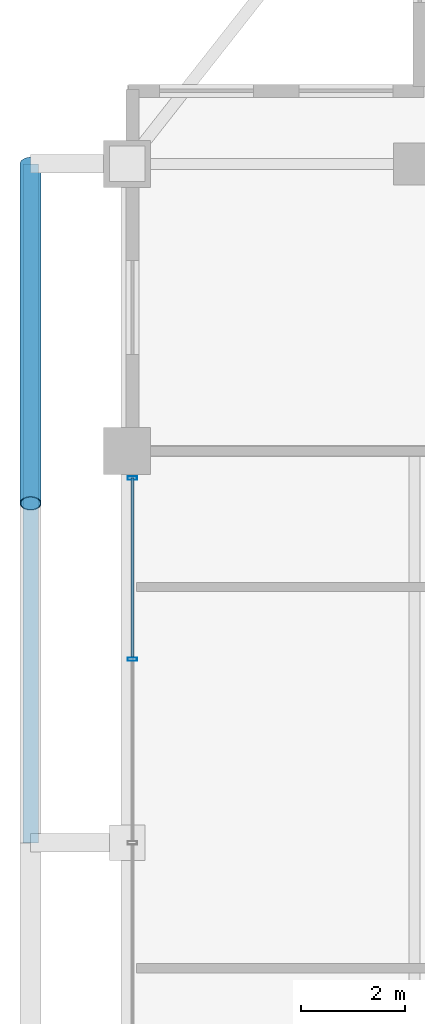
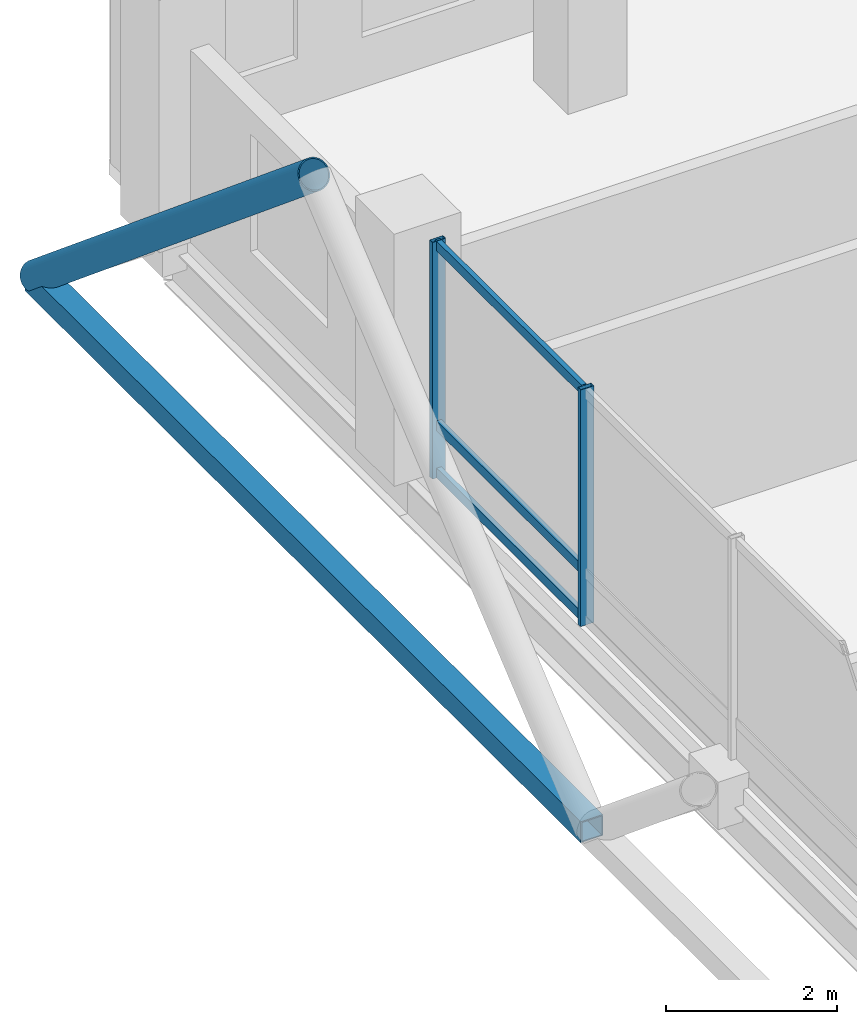
# One storey, part 10 of 24: 7 members, 1 element without a shape of its own.
"""IFC4 building model written with IfcOpenShell, lengths in metres."""

import ifcopenshell
import ifcopenshell.guid

model = None  # the IFC model being written
_history = None  # IfcOwnerHistory: only IFC2X3 demands one
_inside = {}  # id of a spatial element -> (the spatial element, [elements in it])
_under = {}  # id of a project, library or spatial element -> (it, [spatial elements below it])
_declared = {}  # id of a project -> (the project, [libraries it declares])
_typed = {}  # id of a type object -> (the type object, [elements of that type])
_made_of = {}  # id of a material, layer set ... -> (it, [elements and type objects made of it])


def new_model(schema):
    """Start an empty IFC model of exactly this schema.

    Asked for "IFC4X3", IfcOpenShell would pick the latest addendum, in which some entities
    have other attributes; the version numbers below select the first issue.
    IFC2X3 requires an IfcOwnerHistory on every rooted entity: one is made here for all.
    """
    global model, _history
    if schema == "IFC4X3":
        model = ifcopenshell.file(schema_version=(4, 3, 0, 0))
    else:
        model = ifcopenshell.file(schema=schema)
    _inside.clear()
    _under.clear()
    _declared.clear()
    _typed.clear()
    _made_of.clear()
    _history = None
    if model.schema == "IFC2X3":
        org = make("IfcOrganization", Name="unknown")
        user = make(
            "IfcPersonAndOrganization",
            ThePerson=make("IfcPerson", FamilyName="unknown"),
            TheOrganization=org,
        )
        app = make(
            "IfcApplication",
            ApplicationDeveloper=org,
            Version="unknown",
            ApplicationFullName="unknown",
            ApplicationIdentifier="unknown",
        )
        _history = make(
            "IfcOwnerHistory",
            OwningUser=user,
            OwningApplication=app,
            ChangeAction="ADDED",
            CreationDate=0,
        )
    return model


def make(cls, **values):
    """One entity of the class cls with the attributes given. An attribute that is None is left unset."""
    return model.create_entity(
        cls, **{name: value for name, value in values.items() if value is not None}
    )


def rooted(cls, **values):
    """An entity with a GlobalId (a new one), such as an element, a storey or a relation."""
    return make(cls, GlobalId=ifcopenshell.guid.new(), OwnerHistory=_history, **values)


def si_unit(unit_type, name, prefix=None):
    """IfcSIUnit, for example si_unit("LENGTHUNIT", "METRE", prefix="MILLI")."""
    return make("IfcSIUnit", UnitType=unit_type, Prefix=prefix, Name=name)


def assignment(units):
    """IfcUnitAssignment: the units of a project."""
    return None if units is None else make("IfcUnitAssignment", Units=units)


def point(xyz):
    """IfcCartesianPoint."""
    return None if xyz is None else make("IfcCartesianPoint", Coordinates=xyz)


def direction(xyz):
    """IfcDirection."""
    return None if xyz is None else make("IfcDirection", DirectionRatios=xyz)


def frame(location, z_axis=None, x_axis=None):
    """IfcAxis2Placement3D, a coordinate frame: its origin and axes. An axis left out is left unset."""
    return make(
        "IfcAxis2Placement3D",
        Location=point(location),
        Axis=direction(z_axis),
        RefDirection=direction(x_axis),
    )


def frame_2d(location, x_axis=None):
    """IfcAxis2Placement2D, a coordinate frame in the plane: its origin and x axis."""
    return make(
        "IfcAxis2Placement2D", Location=point(location), RefDirection=direction(x_axis)
    )


def origin():
    """The frame at (0, 0, 0) with its axes left unset."""
    return frame((0.0, 0.0, 0.0))


def origin_2d():
    """The frame at (0, 0) in the plane with its x axis left unset."""
    return frame_2d((0.0, 0.0))


def place(relative_to, where):
    """IfcLocalPlacement: puts the frame where relative to a parent placement (None: the world)."""
    return make(
        "IfcLocalPlacement", PlacementRelTo=relative_to, RelativePlacement=where
    )


def context(
    kind, dimensions, precision=None, world=None, true_north=None, identifier=None
):
    """IfcGeometricRepresentationContext, for example the 3D "Model" context."""
    return make(
        "IfcGeometricRepresentationContext",
        ContextIdentifier=identifier,
        ContextType=kind,
        CoordinateSpaceDimension=dimensions,
        Precision=precision,
        WorldCoordinateSystem=world,
        TrueNorth=true_north,
    )


def subcontext(parent, identifier, kind, view, scale=None):
    """IfcGeometricRepresentationSubContext, for example "Body" below "Model"."""
    return make(
        "IfcGeometricRepresentationSubContext",
        ContextIdentifier=identifier,
        ContextType=kind,
        ParentContext=parent,
        TargetScale=scale,
        TargetView=view,
    )


def project(units=None, contexts=None):
    """IfcProject with its units and contexts."""
    return rooted(
        "IfcProject",
        Name="project",
        RepresentationContexts=contexts,
        UnitsInContext=assignment(units),
    )


def spatial(cls, under=None, at=None, **own):
    """A site, building, storey or space (cls), placed at a placement, below another one or the project."""
    s = rooted(cls, ObjectPlacement=at, **own)
    if under is not None:
        _under.setdefault(under.id(), (under, []))[1].append(s)
    return s


def profile(cls, at=None, kind="AREA", **sizes):
    """A parametric profile (cls). Its sizes go by their IFC names, for example OverallWidth=200.0."""
    return make(cls, ProfileType=kind, Position=at, **sizes)


def hollow_rectangle(**sizes):
    """IfcRectangleHollowProfileDef."""
    return profile("IfcRectangleHollowProfileDef", **sizes)


def hollow_circle(**sizes):
    """IfcCircleHollowProfileDef."""
    return profile("IfcCircleHollowProfileDef", **sizes)


def extrude(swept, where, along, depth):
    """IfcExtrudedAreaSolid: the profile swept, set in the frame where, extruded along a direction by depth."""
    return make(
        "IfcExtrudedAreaSolid",
        SweptArea=swept,
        Position=where,
        ExtrudedDirection=direction(along),
        Depth=depth,
    )


def shape(context_of_items, identifier, shape_type, items):
    """IfcShapeRepresentation: the items that make up one representation, for example the "Body"."""
    return make(
        "IfcShapeRepresentation",
        ContextOfItems=context_of_items,
        RepresentationIdentifier=identifier,
        RepresentationType=shape_type,
        Items=items,
    )


def material(Name=None, Category=None):
    """IfcMaterial."""
    return make("IfcMaterial", Name=Name, Category=Category)


def layer(
    of_material, thickness, ventilated=None, Name=None, Category=None, Priority=None
):
    """IfcMaterialLayer: one layer of a wall or slab, of a material (None: an air gap)."""
    return make(
        "IfcMaterialLayer",
        Material=of_material,
        LayerThickness=thickness,
        IsVentilated=ventilated,
        Name=Name,
        Category=Category,
        Priority=Priority,
    )


def layer_set(layers, Name=None):
    """IfcMaterialLayerSet."""
    return make("IfcMaterialLayerSet", MaterialLayers=layers, LayerSetName=Name)


def material_profile(
    of_material, cross_section, Name=None, Category=None, Priority=None
):
    """IfcMaterialProfile: a cross section and its material."""
    return make(
        "IfcMaterialProfile",
        Name=Name,
        Material=of_material,
        Profile=cross_section,
        Priority=Priority,
        Category=Category,
    )


def profile_set(profiles, Name=None, composite=None):
    """IfcMaterialProfileSet."""
    return make(
        "IfcMaterialProfileSet",
        Name=Name,
        MaterialProfiles=profiles,
        CompositeProfile=composite,
    )


def made_of(thing, what):
    """Note that an element or type object is made of a material, layer set ...; save() writes the relation."""
    if what is not None:
        _made_of.setdefault(what.id(), (what, []))[1].append(thing)
    return thing


def type_object(cls, material=None, **own):
    """A type object (cls), such as IfcWallType, which elements share."""
    return made_of(rooted(cls, **own), material)


def element(
    cls,
    number,
    at=None,
    inside=None,
    cuts=None,
    type_object=None,
    material=None,
    context=None,
    identifier="Body",
    shape_type=None,
    held_by="IfcProductDefinitionShape",
    body=None,
    shapes=None,
    **own,
):
    """One element of the class cls, such as IfcWall. Its Tag is "e" and its number.

    at: its placement. inside: the storey or other place that contains it. cuts: it is an
    opening in that element (IfcRelVoidsElement). A single representation is given by context,
    identifier, shape_type and body (its items); several are given by shapes. held_by: the class
    of the entity that holds the representations. save() writes the other relations.
    """
    e = rooted(cls, Tag="e%d" % number, ObjectPlacement=at, **own)
    if body is not None:
        shapes = [shape(context, identifier, shape_type, body)]
    if shapes is not None:
        e.Representation = make(held_by, Representations=shapes)
    if inside is not None:
        _inside.setdefault(inside.id(), (inside, []))[1].append(e)
    if cuts is not None:
        rooted(
            "IfcRelVoidsElement", RelatingBuildingElement=cuts, RelatedOpeningElement=e
        )
    if type_object is not None:
        _typed.setdefault(type_object.id(), (type_object, []))[1].append(e)
    return made_of(e, material)


def aggregate(whole, parts):
    """IfcRelAggregates: a whole, such as a stair, and the parts it consists of."""
    return rooted("IfcRelAggregates", RelatingObject=whole, RelatedObjects=parts)


def save(model, path):
    """Write the relations noted so far, then the file.

    IfcRelAggregates (storeys below a building ...), IfcRelContainedInSpatialStructure (elements
    in a storey), IfcRelDefinesByType, IfcRelAssociatesMaterial and IfcRelDeclares: one each for
    every whole, place, type object, material and project.
    """
    for whole, parts in _under.values():
        aggregate(whole, parts)
    for where, things in _inside.values():
        rooted(
            "IfcRelContainedInSpatialStructure",
            RelatedElements=things,
            RelatingStructure=where,
        )
    for kind, things in _typed.values():
        rooted("IfcRelDefinesByType", RelatedObjects=things, RelatingType=kind)
    for what, things in _made_of.values():
        rooted("IfcRelAssociatesMaterial", RelatedObjects=things, RelatingMaterial=what)
    for by, libraries in _declared.values():
        rooted("IfcRelDeclares", RelatingContext=by, RelatedDefinitions=libraries)
    model.write(path)


model = new_model("IFC4")

# Units and contexts
model_context = context("Model", 3, precision=1e-05, world=origin(), true_north=direction((0.0, 1.0)))
body_context = subcontext(model_context, "Body", "Model", "MODEL_VIEW")
ifc_project = project(units=[si_unit("LENGTHUNIT", "METRE"), si_unit("AREAUNIT", "SQUARE_METRE"), si_unit("VOLUMEUNIT", "CUBIC_METRE"), si_unit("PLANEANGLEUNIT", "RADIAN"), si_unit("MASSUNIT", "GRAM", prefix="KILO")], contexts=[model_context])

# Site, building, storey
site_placement = place(None, origin())
site = spatial("IfcSite", under=ifc_project, at=site_placement, CompositionType="ELEMENT")
building_placement = place(site_placement, origin())
building = spatial("IfcBuilding", under=site, at=building_placement, Name="Barlavira Tower and Art Museum", CompositionType="ELEMENT")
storey_placement = place(building_placement, frame((0.0, 0.0, 272.699951171875)))
storey = spatial("IfcBuildingStorey", under=building, at=storey_placement, Name="L71", CompositionType="ELEMENT", Elevation=272.699951171875)

# Curtain wall, members
ifc_material_1 = material(Name="Low-iron coastal laminated glass", Category="glass")
ifc_layer = layer(ifc_material_1, 0.2099609375, Name="Low-iron coastal laminated glass")
ifc_layer_set = layer_set([ifc_layer], Name="Low-iron coastal laminated glass")
curtain_wall_type = type_object("IfcCurtainWallType", Name="Pale-Metal Unitised Curtain Wall Zone 4", PredefinedType="NOTDEFINED", material=ifc_layer_set)
curtain_wall_placement = place(storey_placement, origin())
curtain_wall = element("IfcCurtainWall", 1, at=curtain_wall_placement, inside=storey, type_object=curtain_wall_type, Name="L71 Curtain Wall CW4-L71-W-B3", PredefinedType="NOTDEFINED")
ifc_material_2 = material(Name="Pale anodised aluminium", Category="aluminium")
ifc_material_profile_1 = material_profile(ifc_material_2, hollow_rectangle(XDim=0.06494140625, YDim=0.179931640625, WallThickness=0.00390625, at=origin_2d()), Name="ALU-MULL 65x180x4")
ifc_profile_set_1 = profile_set([ifc_material_profile_1], Name="Pale anodised aluminium")
member_type_1 = type_object("IfcMemberType", Name="Curtain Wall Pale-Metal Mullion 65x180", PredefinedType="MULLION", material=ifc_profile_set_1)
member_1_placement = place(storey_placement, frame((-16.89990234375, 6.985107421875, 0.0), z_axis=(0.0, 0.0, 1.0), x_axis=(0.0, -1.0, 0.0)))
member_1 = element("IfcMember", 2, at=member_1_placement, type_object=member_type_1, Name="CW4-L71-W-B3 Mullion 0", PredefinedType="MULLION", context=body_context, shape_type="SweptSolid", body=[
    extrude(hollow_rectangle(XDim=0.06494140625, YDim=0.179931640625, WallThickness=0.00390625, at=origin_2d()), origin(), (0.0, 0.0, 1.0), 3.380126953125),
])
member_2_placement = place(storey_placement, frame((-16.89990234375, 3.514892578125, 0.0), z_axis=(0.0, 0.0, 1.0), x_axis=(0.0, -1.0, 0.0)))
member_2 = element("IfcMember", 3, at=member_2_placement, type_object=member_type_1, Name="CW4-L71-W-B3 Mullion 1", PredefinedType="MULLION", context=body_context, shape_type="SweptSolid", body=[
    extrude(hollow_rectangle(XDim=0.06494140625, YDim=0.179931640625, WallThickness=0.00390625, at=origin_2d()), origin(), (0.0, 0.0, 1.0), 3.380126953125),
])
ifc_material_profile_2 = material_profile(ifc_material_2, hollow_rectangle(XDim=0.06494140625, YDim=0.139892578125, WallThickness=0.00390625, at=origin_2d()), Name="ALU-TRAN 65x140x4")
ifc_profile_set_2 = profile_set([ifc_material_profile_2], Name="Pale anodised aluminium")
member_type_2 = type_object("IfcMemberType", Name="Curtain Wall Pale-Metal Transom 65x140", PredefinedType="USERDEFINED", material=ifc_profile_set_2)
member_3_placement = place(storey_placement, frame((-16.89990234375, 6.985107421875, 0.070068359375), z_axis=(0.0, -1.0, 0.0), x_axis=(1.0, 0.0, 0.0)))
member_3 = element("IfcMember", 4, at=member_3_placement, type_object=member_type_2, Name="CW4-L71-W-B3 Transom 0.1", ObjectType="TRANSOM", PredefinedType="USERDEFINED", context=body_context, shape_type="SweptSolid", body=[
    extrude(hollow_rectangle(XDim=0.06494140625, YDim=0.139892578125, WallThickness=0.00390625, at=origin_2d()), origin(), (0.0, 0.0, 1.0), 3.425048828125),
])
member_4_placement = place(storey_placement, frame((-16.89990234375, 6.985107421875, 0.744140625), z_axis=(0.0, -1.0, 0.0), x_axis=(1.0, 0.0, 0.0)))
member_4 = element("IfcMember", 5, at=member_4_placement, type_object=member_type_2, Name="CW4-L71-W-B3 Transom 0.2", ObjectType="TRANSOM", PredefinedType="USERDEFINED", context=body_context, shape_type="SweptSolid", body=[
    extrude(hollow_rectangle(XDim=0.06494140625, YDim=0.139892578125, WallThickness=0.00390625, at=origin_2d()), origin(), (0.0, 0.0, 1.0), 3.425048828125),
])
member_5_placement = place(storey_placement, frame((-16.89990234375, 6.985107421875, 3.31005859375), z_axis=(0.0, -1.0, 0.0), x_axis=(1.0, 0.0, 0.0)))
member_5 = element("IfcMember", 6, at=member_5_placement, type_object=member_type_2, Name="CW4-L71-W-B3 Transom 0.3", ObjectType="TRANSOM", PredefinedType="USERDEFINED", context=body_context, shape_type="SweptSolid", body=[
    extrude(hollow_rectangle(XDim=0.06494140625, YDim=0.139892578125, WallThickness=0.00390625, at=origin_2d()), origin(), (0.0, 0.0, 1.0), 3.425048828125),
])
aggregate(curtain_wall, [member_1, member_2, member_3, member_4, member_5])

# Members
ifc_material_3 = material(Name="Steel S355", Category="steel")
ifc_material_profile_3 = material_profile(ifc_material_3, hollow_circle(Radius=0.203125, WallThickness=0.01611328125, at=origin_2d()), Name="CHS 406.4x16.0")
ifc_profile_set_3 = profile_set([ifc_material_profile_3], Name="Steel S355")
member_type_3 = type_object("IfcMemberType", Name="Pale-Metal Exoskeleton Diagrid Tube CHS 406x16 Steel S355", PredefinedType="BRACE", material=ifc_profile_set_3)
member_6_placement = place(storey_placement, frame((-18.85009765625, 13.0, -0.119873046875), z_axis=(0.0, -0.769196053329, 0.639012857104), x_axis=(1.0, 0.0, 0.0)))
element("IfcMember", 7, at=member_6_placement, inside=storey, type_object=member_type_3, Name="L71 Exoskeleton Diagrid Tube W", PredefinedType="BRACE", context=body_context, shape_type="SweptSolid", body=[
    extrude(hollow_circle(Radius=0.203125, WallThickness=0.01611328125, at=origin_2d()), origin(), (0.0, 0.0, 1.0), 8.450439453125),
])
ifc_material_profile_4 = material_profile(ifc_material_3, hollow_rectangle(XDim=0.300048828125, YDim=0.300048828125, WallThickness=0.01611328125, at=origin_2d()), Name="SHS 300x300x16.0")
ifc_profile_set_4 = profile_set([ifc_material_profile_4], Name="Steel S355")
member_type_4 = type_object("IfcMemberType", Name="Pale-Metal Upper Ring Strut SHS 300x300x16 Steel S355", PredefinedType="STRUT", material=ifc_profile_set_4)
member_7_placement = place(storey_placement, frame((-18.85009765625, 0.0, -0.119873046875), z_axis=(0.0, 1.0, 0.0), x_axis=(-1.0, 0.0, 0.0)))
element("IfcMember", 8, at=member_7_placement, inside=storey, type_object=member_type_4, Name="L71 Exoskeleton Ring Strut W", PredefinedType="STRUT", context=body_context, shape_type="SweptSolid", body=[
    extrude(hollow_rectangle(XDim=0.300048828125, YDim=0.300048828125, WallThickness=0.01611328125, at=origin_2d()), origin(), (0.0, 0.0, 1.0), 13.0),
])

save(model, "model.ifc")
